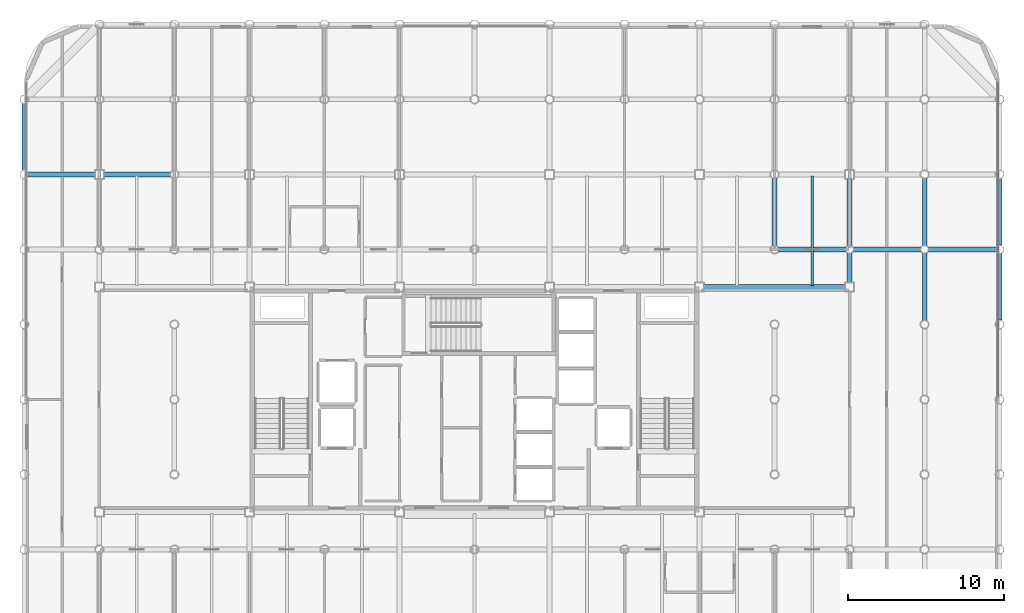
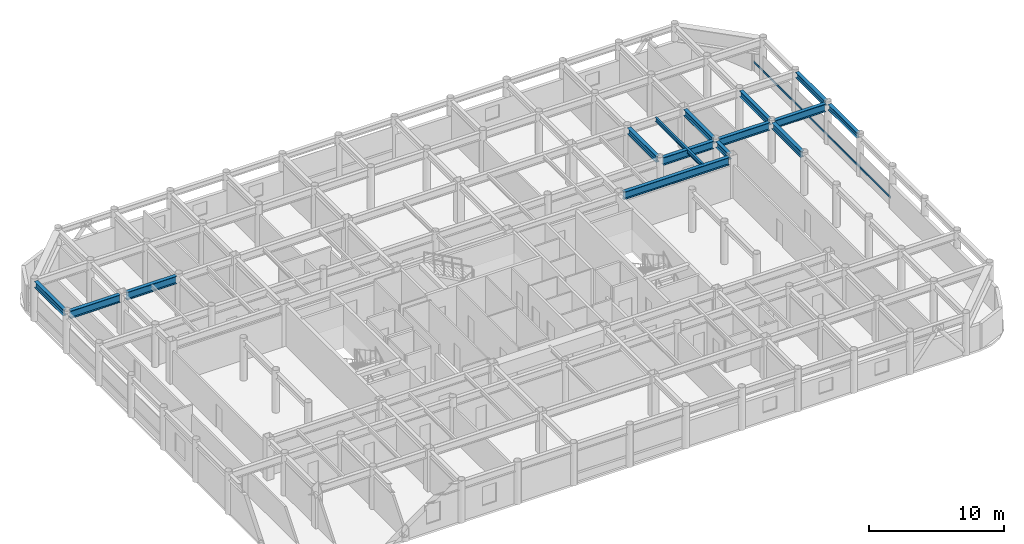
# One storey, part 11 of 22: 15 beams, 1 member, 1 element without a shape of its own.
"""IFC4 building model written with IfcOpenShell, lengths in metres."""

from ifc_helpers import new_model, si_unit, direction, frame, origin, origin_2d, place, context, subcontext, project, spatial, hollow_rectangle, i_section, extrude, material, layer, layer_set, material_profile, profile_set, type_object, element, aggregate, save


model = new_model("IFC4")

# Units and contexts
model_context = context("Model", 3, precision=1e-05, world=origin(), true_north=direction((0.0, 1.0)))
body_context = subcontext(model_context, "Body", "Model", "MODEL_VIEW")
ifc_project = project(units=[si_unit("LENGTHUNIT", "METRE"), si_unit("AREAUNIT", "SQUARE_METRE"), si_unit("VOLUMEUNIT", "CUBIC_METRE"), si_unit("PLANEANGLEUNIT", "RADIAN"), si_unit("MASSUNIT", "GRAM", prefix="KILO")], contexts=[model_context])

# Site, building, storey
site_placement = place(None, origin())
site = spatial("IfcSite", under=ifc_project, at=site_placement, CompositionType="ELEMENT")
building_placement = place(site_placement, origin())
building = spatial("IfcBuilding", under=site, at=building_placement, Name="Kallvorn Hotel Tower", CompositionType="ELEMENT")
storey_placement = place(building_placement, frame((0.0, 0.0, 230.0)))
storey = spatial("IfcBuildingStorey", under=building, at=storey_placement, Name="L57", CompositionType="ELEMENT", Elevation=230.0)

# Beams
ifc_material_1 = material(Name="Structural steel S355JR", Category="steel")
ifc_material_profile_1 = material_profile(ifc_material_1, i_section(OverallWidth=0.300048828125, OverallDepth=0.5, WebThickness=0.014404296875, FlangeThickness=0.028076171875, at=origin_2d()), Name="HE 500 B")
ifc_profile_set_1 = profile_set([ifc_material_profile_1], Name="Structural steel S355JR")
beam_type_1 = type_object("IfcBeamType", Name="BM_HE500B", PredefinedType="SPANDREL", material=ifc_profile_set_1)
beam_1_placement = place(storey_placement, frame((33.60009765625, 5.069580078125, 3.419921875), z_axis=(0.0, 1.0, 0.0), x_axis=(-1.0, 0.0, 0.0)))
element("IfcBeam", 1, at=beam_1_placement, inside=storey, type_object=beam_type_1, Name="L58 Perimeter Spandrel 186", PredefinedType="SPANDREL", context=body_context, shape_type="SweptSolid", body=[
    extrude(i_section(OverallWidth=0.300048828125, OverallDepth=0.5, WebThickness=0.014404296875, FlangeThickness=0.028076171875, at=origin_2d()), origin(), (0.0, 0.0, 1.0), 4.260986328125),
])
beam_2_placement = place(storey_placement, frame((33.60009765625, 9.869384765625, 3.419921875), z_axis=(0.0, 1.0, 0.0), x_axis=(-1.0, 0.0, 0.0)))
element("IfcBeam", 2, at=beam_2_placement, inside=storey, type_object=beam_type_1, Name="L58 Perimeter Spandrel 187", PredefinedType="SPANDREL", context=body_context, shape_type="SweptSolid", body=[
    extrude(i_section(OverallWidth=0.300048828125, OverallDepth=0.5, WebThickness=0.014404296875, FlangeThickness=0.028076171875, at=origin_2d()), origin(), (0.0, 0.0, 1.0), 4.26123046875),
])
ifc_material_2 = material(Name="Structural steel S355JR", Category="steel")
ifc_material_profile_2 = material_profile(ifc_material_2, i_section(OverallWidth=0.300048828125, OverallDepth=0.550048828125, WebThickness=0.014892578125, FlangeThickness=0.029052734375, at=origin_2d()), Name="HE 550 B")
ifc_profile_set_2 = profile_set([ifc_material_profile_2], Name="Structural steel S355JR")
beam_type_2 = type_object("IfcBeamType", Name="BM_HE550B", PredefinedType="SPANDREL", material=ifc_profile_set_2)
for number, where, z_axis, x_axis, name in (
    (3, (-28.800048828125, 14.654541015625, 3.39501953125), (0.0, 1.0, 0.0), (-1.0, 0.0, 0.0), "L58 Primary Y-Girder 80"),
    (4, (19.199951171875, 9.8544921875, 3.39501953125), (0.0, 1.0, 0.0), (-1.0, 0.0, 0.0), "L58 Primary Y-Girder 132"),
):
    element("IfcBeam", number, at=place(storey_placement, frame(where, z_axis=z_axis, x_axis=x_axis)), inside=storey, type_object=beam_type_2, Name=name, PredefinedType="SPANDREL", context=body_context, shape_type="SweptSolid", body=[
        extrude(i_section(OverallWidth=0.300048828125, OverallDepth=0.550048828125, WebThickness=0.014892578125, FlangeThickness=0.029052734375, at=origin_2d()), origin(), (0.0, 0.0, 1.0), 4.291015625),
    ])
beam_3_placement = place(storey_placement, frame((24.0, 7.47509765625, 3.39501953125), z_axis=(0.0, 1.0, 0.0), x_axis=(-1.0, 0.0, 0.0)))
element("IfcBeam", 5, at=beam_3_placement, inside=storey, type_object=beam_type_2, Name="L58 Primary Y-Girder 138", PredefinedType="SPANDREL", context=body_context, shape_type="SweptSolid", body=[
    extrude(i_section(OverallWidth=0.300048828125, OverallDepth=0.550048828125, WebThickness=0.014892578125, FlangeThickness=0.029052734375, at=origin_2d()), origin(), (0.0, 0.0, 1.0), 1.870361328125),
])
beam_4_placement = place(storey_placement, frame((24.0, 9.8544921875, 3.39501953125), z_axis=(0.0, 1.0, 0.0), x_axis=(-1.0, 0.0, 0.0)))
element("IfcBeam", 6, at=beam_4_placement, inside=storey, type_object=beam_type_2, Name="L58 Primary Y-Girder 139", PredefinedType="SPANDREL", context=body_context, shape_type="SweptSolid", body=[
    extrude(i_section(OverallWidth=0.300048828125, OverallDepth=0.550048828125, WebThickness=0.014892578125, FlangeThickness=0.029052734375, at=origin_2d()), origin(), (0.0, 0.0, 1.0), 4.2705078125),
])
for number, where, z_axis, x_axis, name in (
    (7, (28.800048828125, 5.054443359375, 3.39501953125), (0.0, 1.0, 0.0), (-1.0, 0.0, 0.0), "L58 Primary Y-Girder 147"),
    (8, (28.800048828125, 9.8544921875, 3.39501953125), (0.0, 1.0, 0.0), (-1.0, 0.0, 0.0), "L58 Primary Y-Girder 148"),
):
    element("IfcBeam", number, at=place(storey_placement, frame(where, z_axis=z_axis, x_axis=x_axis)), inside=storey, type_object=beam_type_2, Name=name, PredefinedType="SPANDREL", context=body_context, shape_type="SweptSolid", body=[
        extrude(i_section(OverallWidth=0.300048828125, OverallDepth=0.550048828125, WebThickness=0.014892578125, FlangeThickness=0.029052734375, at=origin_2d()), origin(), (0.0, 0.0, 1.0), 4.291015625),
    ])
ifc_material_3 = material(Name="Structural steel S355JR", Category="steel")
ifc_material_profile_3 = material_profile(ifc_material_3, i_section(OverallWidth=0.300048828125, OverallDepth=0.699951171875, WebThickness=0.01708984375, FlangeThickness=0.031982421875, at=origin_2d()), Name="HE 700 B")
ifc_profile_set_3 = profile_set([ifc_material_profile_3], Name="Structural steel S355JR")
beam_type_3 = type_object("IfcBeamType", Name="BM_HE700B", PredefinedType="BEAM", material=ifc_profile_set_3)
beam_5_placement = place(storey_placement, frame((14.675048828125, 7.199951171875, 3.320068359375), z_axis=(1.0, 0.0, 0.0), x_axis=(0.0, 1.0, 0.0)))
element("IfcBeam", 9, at=beam_5_placement, inside=storey, type_object=beam_type_3, Name="L58 Primary X-Girder 40", PredefinedType="BEAM", context=body_context, shape_type="SweptSolid", body=[
    extrude(i_section(OverallWidth=0.300048828125, OverallDepth=0.699951171875, WebThickness=0.01708984375, FlangeThickness=0.031982421875, at=origin_2d()), origin(), (0.0, 0.0, 1.0), 9.050048828125),
])
for number, where, z_axis, x_axis, name in (
    (10, (19.45458984375, 9.60009765625, 3.320068359375), (1.0, 0.0, 0.0), (0.0, 1.0, 0.0), "L58 Primary X-Girder 47"),
    (11, (24.25439453125, 9.60009765625, 3.320068359375), (1.0, 0.0, 0.0), (0.0, 1.0, 0.0), "L58 Primary X-Girder 48"),
    (12, (29.054443359375, 9.60009765625, 3.320068359375), (1.0, 0.0, 0.0), (0.0, 1.0, 0.0), "L58 Primary X-Girder 49"),
):
    element("IfcBeam", number, at=place(storey_placement, frame(where, z_axis=z_axis, x_axis=x_axis)), inside=storey, type_object=beam_type_3, Name=name, PredefinedType="BEAM", context=body_context, shape_type="SweptSolid", body=[
        extrude(i_section(OverallWidth=0.300048828125, OverallDepth=0.699951171875, WebThickness=0.01708984375, FlangeThickness=0.031982421875, at=origin_2d()), origin(), (0.0, 0.0, 1.0), 4.291015625),
    ])
for number, where, z_axis, x_axis, name in (
    (13, (-28.54541015625, 14.39990234375, 3.320068359375), (1.0, 0.0, 0.0), (0.0, 1.0, 0.0), "L58 Primary X-Girder 50"),
    (14, (-23.72509765625, 14.39990234375, 3.320068359375), (1.0, 0.0, 0.0), (0.0, 1.0, 0.0), "L58 Primary X-Girder 51"),
):
    element("IfcBeam", number, at=place(storey_placement, frame(where, z_axis=z_axis, x_axis=x_axis)), inside=storey, type_object=beam_type_3, Name=name, PredefinedType="BEAM", context=body_context, shape_type="SweptSolid", body=[
        extrude(i_section(OverallWidth=0.300048828125, OverallDepth=0.699951171875, WebThickness=0.01708984375, FlangeThickness=0.031982421875, at=origin_2d()), origin(), (0.0, 0.0, 1.0), 4.2705078125),
    ])
ifc_material_4 = material(Name="Structural steel S355JR", Category="steel")
ifc_material_profile_4 = material_profile(ifc_material_4, i_section(OverallWidth=0.169921875, OverallDepth=0.360107421875, WebThickness=0.008056640625, FlangeThickness=0.0126953125, at=origin_2d()), Name="IPE 360")
ifc_profile_set_4 = profile_set([ifc_material_profile_4], Name="Structural steel S355JR")
beam_type_4 = type_object("IfcBeamType", Name="BM_IPE360", PredefinedType="JOIST", material=ifc_profile_set_4)
beam_6_placement = place(storey_placement, frame((21.60009765625, 7.300048828125, 3.489990234375), z_axis=(0.0, 1.0, 0.0), x_axis=(-1.0, 0.0, 0.0)))
element("IfcBeam", 15, at=beam_6_placement, inside=storey, type_object=beam_type_4, Name="L58 Secondary Composite Joist 209", PredefinedType="JOIST", context=body_context, shape_type="SweptSolid", body=[
    extrude(i_section(OverallWidth=0.169921875, OverallDepth=0.360107421875, WebThickness=0.008056640625, FlangeThickness=0.0126953125, at=origin_2d()), origin(), (0.0, 0.0, 1.0), 7.0),
])

# Curtain wall, member
ifc_material_5 = material(Name="Thermally broken black-anodised aluminium AA 6063-T6", Category="aluminium")
ifc_layer = layer(ifc_material_5, 0.22998046875)
ifc_layer_set = layer_set([ifc_layer], Name="CW_SYS_5_HOTEL_HIGH")
curtain_wall_type = type_object("IfcCurtainWallType", Name="CW_SYS_5_HOTEL_HIGH", PredefinedType="USERDEFINED", material=ifc_layer_set)
curtain_wall_placement = place(storey_placement, origin())
curtain_wall = element("IfcCurtainWall", 16, at=curtain_wall_placement, inside=storey, type_object=curtain_wall_type, Name="L57 Dark-Glass Curtain Wall CW-L57-EN", ObjectType="UNITISED CURTAIN WALL", PredefinedType="USERDEFINED")
ifc_material_6 = material(Name="Thermally broken black-anodised aluminium AA 6063-T6", Category="aluminium")
ifc_material_profile_5 = material_profile(ifc_material_6, hollow_rectangle(XDim=0.070068359375, YDim=0.179931640625, WallThickness=0.00390625, at=origin_2d()), Name="TRN 180x70")
ifc_profile_set_5 = profile_set([ifc_material_profile_5], Name="Thermally broken black-anodised aluminium AA 6063-T6")
member_type = type_object("IfcMemberType", Name="CW_TRANSOM_180x70", PredefinedType="USERDEFINED", material=ifc_profile_set_5)
member_placement = place(storey_placement, frame((33.47998046875, 0.06005859375, 0.85009765625), z_axis=(0.0, 1.0, 0.0), x_axis=(-1.0, 0.0, 0.0)))
member = element("IfcMember", 17, at=member_placement, type_object=member_type, Name="CW-L57-EN Transom 00M", ObjectType="TRANSOM", PredefinedType="USERDEFINED", context=body_context, shape_type="SweptSolid", body=[
    extrude(hollow_rectangle(XDim=0.070068359375, YDim=0.179931640625, WallThickness=0.00390625, at=origin_2d()), origin(), (0.0, 0.0, 1.0), 20.300048828125),
])
aggregate(curtain_wall, [member])

save(model, "model.ifc")
